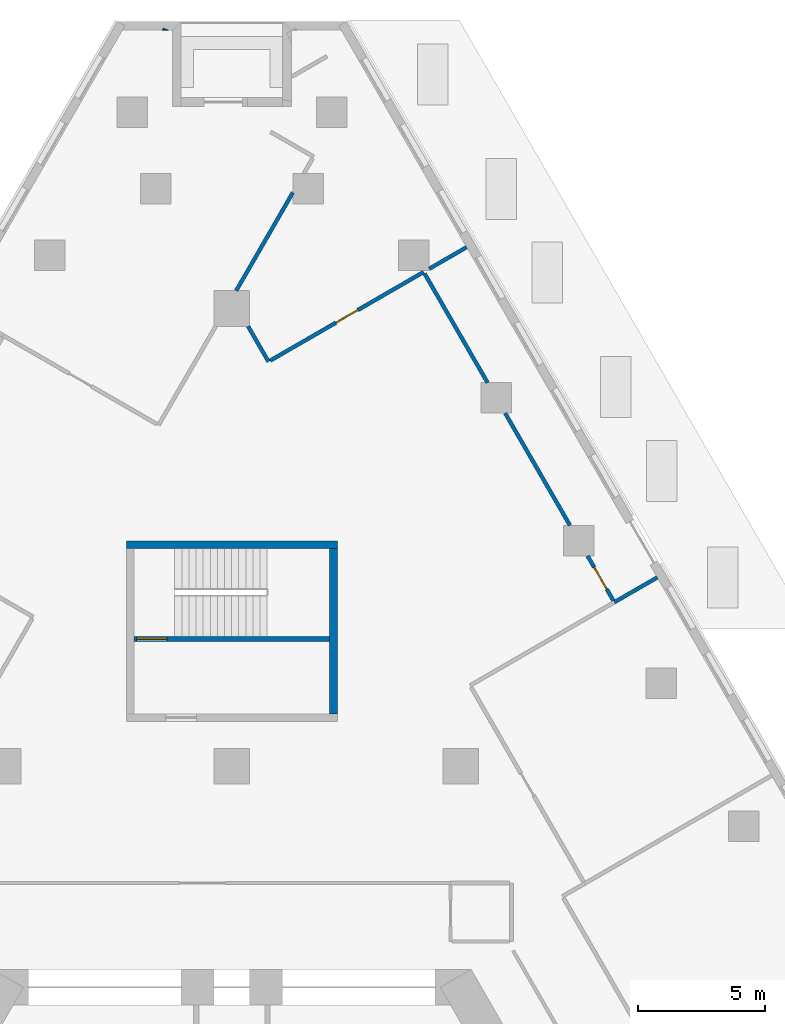
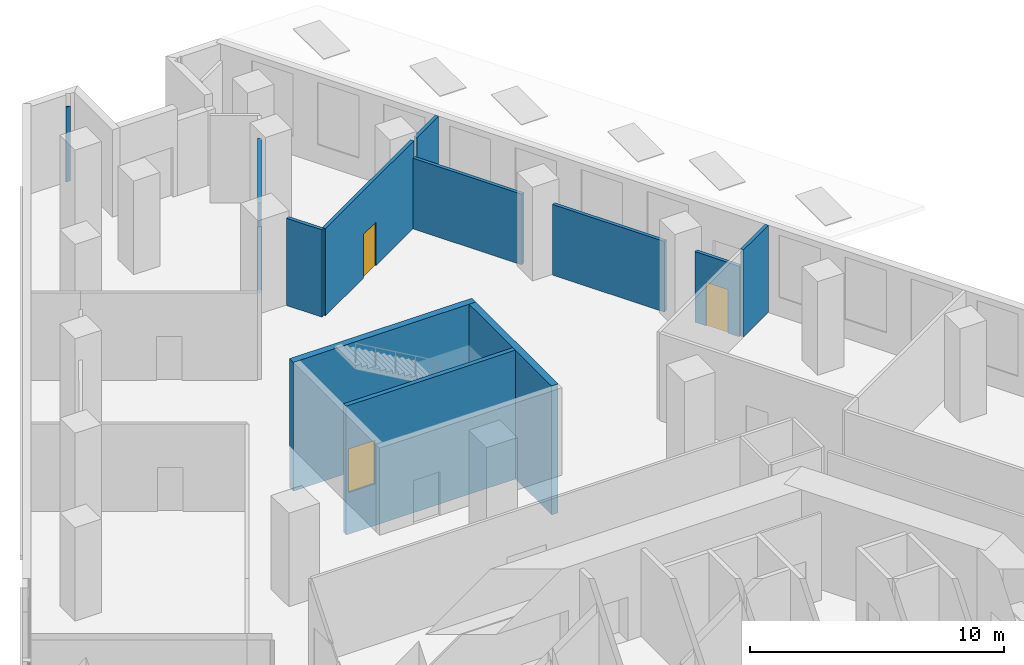
# One storey, part 9 of 13: 12 walls, 3 doors, 3 openings.
"""IFC4 building model written with IfcOpenShell, lengths in metres."""

from ifc_helpers import new_model, si_unit, direction, frame, frame_2d, origin, place, context, subcontext, project, spatial, polyline, rectangle, outline, extrude, material, layer, layer_set, type_object, element, fill, save


model = new_model("IFC4")

# Units and contexts
model_context = context("Model", 3, precision=1e-05, world=origin(), true_north=direction((0.0, 1.0)))
body_context = subcontext(model_context, "Body", "Model", "MODEL_VIEW")
ifc_project = project(units=[si_unit("LENGTHUNIT", "METRE"), si_unit("AREAUNIT", "SQUARE_METRE"), si_unit("VOLUMEUNIT", "CUBIC_METRE"), si_unit("PLANEANGLEUNIT", "RADIAN"), si_unit("MASSUNIT", "GRAM", prefix="KILO")], contexts=[model_context])

# Site, building, storey
site_placement = place(None, origin())
site = spatial("IfcSite", under=ifc_project, at=site_placement, CompositionType="ELEMENT")
building_placement = place(site_placement, origin())
building = spatial("IfcBuilding", under=site, at=building_placement, Name="Fogline Exchange Tower", CompositionType="ELEMENT")
storey_placement = place(building_placement, frame((0.0, 0.0, 25.0)))
storey = spatial("IfcBuildingStorey", under=building, at=storey_placement, Name="L04", CompositionType="ELEMENT", Elevation=25.0)

# Wall, opening, door
ifc_material_1 = material(Name="Concrete C40", Category="concrete")
ifc_layer_1 = layer(ifc_material_1, 0.199951171875)
ifc_layer_set_1 = layer_set([ifc_layer_1], Name="CW20R")
wall_type_1 = type_object("IfcWallType", Name="CW20R", PredefinedType="SOLIDWALL", material=ifc_layer_set_1)
wall_1_placement = place(storey_placement, frame((-3.85009765625, 32.007080078125, -2.0), z_axis=(0.0, 0.0, 1.0), x_axis=(1.0, 0.0, 0.0)))
wall_1 = element("IfcWall", 1, at=wall_1_placement, inside=storey, type_object=wall_type_1, Name="Stair enclosure wall ST3", PredefinedType="SOLIDWALL", context=body_context, shape_type="SweptSolid", body=[
    extrude(rectangle(XDim=7.7001953125, YDim=0.199951171875, at=frame_2d((3.85009765625, 0.0))), origin(), (0.0, 0.0, 1.0), 6.199951171875),
])
opening_1_placement = place(wall_1_placement, frame((0.10009765625, 0.0, 2.0)))
opening_1 = element("IfcOpeningElement", 2, at=opening_1_placement, cuts=wall_1, Name="Opening T00-C024", PredefinedType="OPENING", context=body_context, shape_type="SweptSolid", body=[
    extrude(rectangle(XDim=1.199951171875, YDim=2.10009765625, at=frame_2d((0.60009765625, 1.050048828125))), frame((0.0, 0.10986328125, 0.0), z_axis=(0.0, -1.0, 0.0), x_axis=(1.0, 0.0, 0.0)), (0.0, 0.0, 1.0), 0.219970703125),
])
ifc_material_2 = material(Name="Steel and timber fire door", Category="steel")
door_type_1 = type_object("IfcDoorType", Name="D-ST1", OperationType="SINGLE_SWING_LEFT", PredefinedType="DOOR", material=ifc_material_2)
door_1_placement = place(opening_1_placement, origin())
door_1 = element("IfcDoor", 3, at=door_1_placement, inside=storey, type_object=door_type_1, Name="Stair door ST3", OperationType="SINGLE_SWING_LEFT", OverallHeight=2.10009765625, OverallWidth=1.199951171875, PredefinedType="DOOR", context=body_context, shape_type="SweptSolid", body=[
    extrude(rectangle(XDim=1.199951171875, YDim=2.10009765625, at=frame_2d((0.60009765625, 1.050048828125))), frame((0.0, 0.02490234375, 0.0), z_axis=(0.0, -1.0, 0.0), x_axis=(1.0, 0.0, 0.0)), (0.0, 0.0, 1.0), 0.050048828125),
])
fill(opening_1, door_1)

# Walls
ifc_layer_2 = layer(ifc_material_1, 0.300048828125)
ifc_layer_set_2 = layer_set([ifc_layer_2], Name="CW30")
wall_type_2 = type_object("IfcWallType", Name="CW30", PredefinedType="SOLIDWALL", material=ifc_layer_set_2)
wall_2_placement = place(storey_placement, frame((-4.14990234375, 35.70703125, -2.0), z_axis=(0.0, 0.0, 1.0), x_axis=(1.0, 0.0, 0.0)))
element("IfcWall", 4, at=wall_2_placement, inside=storey, type_object=wall_type_2, Name="Stair enclosure wall ST3", PredefinedType="SOLIDWALL", context=body_context, shape_type="SweptSolid", body=[
    extrude(rectangle(XDim=8.2998046875, YDim=0.300048828125, at=frame_2d((4.14990234375, 0.0))), origin(), (0.0, 0.0, 1.0), 6.199951171875),
])
wall_3_placement = place(storey_placement, frame((4.0, 29.056884765625, -2.0), z_axis=(0.0, 0.0, 1.0), x_axis=(0.0, 1.0, 0.0)))
element("IfcWall", 5, at=wall_3_placement, inside=storey, type_object=wall_type_2, Name="Stair enclosure wall ST3", PredefinedType="SOLIDWALL", context=body_context, shape_type="SweptSolid", body=[
    extrude(rectangle(XDim=6.5, YDim=0.300048828125, at=frame_2d((3.25, 0.0))), origin(), (0.0, 0.0, 1.0), 6.199951171875),
])
ifc_material_3 = material(Name="Brick masonry", Category="masonry")
ifc_layer_3 = layer(ifc_material_3, 0.340087890625)
ifc_layer_set_3 = layer_set([ifc_layer_3], Name="FW1")
wall_type_3 = type_object("IfcWallType", Name="FW1", PredefinedType="SOLIDWALL", material=ifc_layer_set_3)
wall_4_placement = place(storey_placement, origin())
element("IfcWall", 6, at=wall_4_placement, inside=storey, type_object=wall_type_3, Name="Brick wall L04 N-c2", PredefinedType="SOLIDWALL", context=body_context, shape_type="SweptSolid", body=[
    extrude(outline(polyline([(-2.72998046875, 55.951171875), (-2.695068359375, 56.031494140625), (-2.510009765625, 55.951171875), (-2.72998046875, 55.951171875)])), origin(), (0.0, 0.0, 1.0), 3.60009765625),
])
ifc_material_4 = material(Name="Plasterboard demising partition with mineral wool and acoustic board")
ifc_layer_4 = layer(ifc_material_4, 0.14990234375)
ifc_layer_set_4 = layer_set([ifc_layer_4], Name="PW3")
wall_type_4 = type_object("IfcWallType", Name="PW3", PredefinedType="PARTITIONING", material=ifc_layer_set_4)
wall_5_placement = place(storey_placement, frame((15.045654296875, 33.4462890625, 0.0), z_axis=(0.0, 0.0, 1.0), x_axis=(0.866054235095, 0.49995005938, 0.0)))
element("IfcWall", 7, at=wall_5_placement, inside=storey, type_object=wall_type_4, Name="wall-L04-W013", PredefinedType="PARTITIONING", context=body_context, shape_type="SweptSolid", body=[
    extrude(rectangle(XDim=1.949951171875, YDim=0.14990234375, at=frame_2d((0.97509765625, 0.0))), origin(), (0.0, 0.0, 1.0), 4.199951171875),
])
wall_6_placement = place(storey_placement, frame((7.764404296875, 46.56298828125, 0.0), z_axis=(0.0, 0.0, 1.0), x_axis=(0.866039477586, 0.499975622669, 0.0)))
element("IfcWall", 8, at=wall_6_placement, inside=storey, type_object=wall_type_4, Name="wall-L04-W017", PredefinedType="PARTITIONING", context=body_context, shape_type="SweptSolid", body=[
    extrude(rectangle(XDim=1.697265625, YDim=0.14990234375, at=frame_2d((0.8486328125, 0.0))), origin(), (0.0, 0.0, 1.0), 4.199951171875),
])

# Wall, opening, door
wall_7_placement = place(storey_placement, frame((15.008056640625, 33.51123046875, 0.0), z_axis=(0.0, 0.0, 1.0), x_axis=(-0.500048947491, 0.865997142093, 0.0)))
wall_7 = element("IfcWall", 9, at=wall_7_placement, inside=storey, type_object=wall_type_4, Name="wall-L04-W019", PredefinedType="PARTITIONING", context=body_context, shape_type="SweptSolid", body=[
    extrude(rectangle(XDim=2.028076171875, YDim=0.14990234375, at=frame_2d((1.01416015625, 0.0))), origin(), (0.0, 0.0, 1.0), 3.39990234375),
])
opening_2_placement = place(wall_7_placement, frame((0.51416015625, 0.0, 0.0)))
opening_2 = element("IfcOpeningElement", 10, at=opening_2_placement, cuts=wall_7, Name="Opening T00-D007", PredefinedType="OPENING", context=body_context, shape_type="SweptSolid", body=[
    extrude(rectangle(XDim=1.0, YDim=2.10009765625, at=frame_2d((0.5, 1.050048828125))), frame((0.0, 0.0849609375, 0.0), z_axis=(0.0, -1.0, 0.0), x_axis=(1.0, 0.0, 0.0)), (0.0, 0.0, 1.0), 0.169921875),
])
ifc_material_5 = material(Name="Fire-rated timber door leaf with steel frame", Category="steel")
door_type_2 = type_object("IfcDoorType", Name="D3", OperationType="SINGLE_SWING_LEFT", PredefinedType="DOOR", material=ifc_material_5)
door_2_placement = place(opening_2_placement, frame((1.0, 0.0, 0.0), z_axis=(0.0, 0.0, 1.0), x_axis=(-1.0, 0.0, 0.0)))
door_2 = element("IfcDoor", 11, at=door_2_placement, inside=storey, type_object=door_type_2, Name="door-L04-D007", OperationType="SINGLE_SWING_RIGHT", OverallHeight=2.10009765625, OverallWidth=1.0, PredefinedType="DOOR", context=body_context, shape_type="SweptSolid", body=[
    extrude(rectangle(XDim=1.0, YDim=2.10009765625, at=frame_2d((0.5, 1.050048828125))), frame((0.0, 0.02490234375, 0.0), z_axis=(0.0, -1.0, 0.0), x_axis=(1.0, 0.0, 0.0)), (0.0, 0.0, 1.0), 0.050048828125),
])
fill(opening_2, door_2)

# Walls
wall_8_placement = place(storey_placement, frame((13.30126953125, 36.467529296875, 0.0), z_axis=(0.0, 0.0, 1.0), x_axis=(-0.499991921166, 0.866030068051, 0.0)))
element("IfcWall", 12, at=wall_8_placement, inside=storey, type_object=wall_type_4, Name="wall-L04-W020", PredefinedType="PARTITIONING", context=body_context, shape_type="SweptSolid", body=[
    extrude(rectangle(XDim=5.09765625, YDim=0.14990234375, at=frame_2d((2.548828125, 0.0))), origin(), (0.0, 0.0, 1.0), 3.39990234375),
])
wall_9_placement = place(storey_placement, frame((10.0595703125, 42.082275390625, 0.0), z_axis=(0.0, 0.0, 1.0), x_axis=(-0.500019708872, 0.866014024563, 0.0)))
element("IfcWall", 13, at=wall_9_placement, inside=storey, type_object=wall_type_4, Name="wall-L04-W021", PredefinedType="PARTITIONING", context=body_context, shape_type="SweptSolid", body=[
    extrude(rectangle(XDim=4.952880859375, YDim=0.14990234375, at=frame_2d((2.4765625, 0.0))), origin(), (0.0, 0.0, 1.0), 3.39990234375),
])

# Wall, opening, door
wall_10_placement = place(storey_placement, frame((7.545654296875, 46.4365234375, 0.0), z_axis=(0.0, 0.0, 1.0), x_axis=(-0.866037534292, -0.499978988757, 0.0)))
wall_10 = element("IfcWall", 14, at=wall_10_placement, inside=storey, type_object=wall_type_4, Name="wall-L04-W022", PredefinedType="PARTITIONING", context=body_context, shape_type="SweptSolid", body=[
    extrude(rectangle(XDim=6.974853515625, YDim=0.14990234375, at=frame_2d((3.4873046875, 0.0))), origin(), (0.0, 0.0, 1.0), 4.199951171875),
])
opening_3_placement = place(wall_10_placement, frame((2.987548828125, 0.0, 0.0)))
opening_3 = element("IfcOpeningElement", 15, at=opening_3_placement, cuts=wall_10, Name="Opening T00-D008", PredefinedType="OPENING", context=body_context, shape_type="SweptSolid", body=[
    extrude(rectangle(XDim=1.0, YDim=2.10009765625, at=frame_2d((0.5, 1.050048828125))), frame((0.0, 0.0849609375, 0.0), z_axis=(0.0, -1.0, 0.0), x_axis=(1.0, 0.0, 0.0)), (0.0, 0.0, 1.0), 0.169921875),
])
door_3_placement = place(opening_3_placement, frame((1.0, 0.0, 0.0), z_axis=(0.0, 0.0, 1.0), x_axis=(-1.0, 0.0, 0.0)))
door_3 = element("IfcDoor", 16, at=door_3_placement, inside=storey, type_object=door_type_2, Name="door-L04-D008", OperationType="SINGLE_SWING_LEFT", OverallHeight=2.10009765625, OverallWidth=1.0, PredefinedType="DOOR", context=body_context, shape_type="SweptSolid", body=[
    extrude(rectangle(XDim=1.0, YDim=2.10009765625, at=frame_2d((0.5, 1.050048828125))), frame((0.0, 0.02490234375, 0.0), z_axis=(0.0, -1.0, 0.0), x_axis=(1.0, 0.0, 0.0)), (0.0, 0.0, 1.0), 0.050048828125),
])
fill(opening_3, door_3)

# Walls
wall_11_placement = place(storey_placement, frame((1.440185546875, 42.91162109375, 0.0), z_axis=(0.0, 0.0, 1.0), x_axis=(-0.500069551962, 0.865985244216, 0.0)))
element("IfcWall", 17, at=wall_11_placement, inside=storey, type_object=wall_type_4, Name="wall-L04-W023", PredefinedType="PARTITIONING", context=body_context, shape_type="SweptSolid", body=[
    extrude(rectangle(XDim=1.603271484375, YDim=0.14990234375, at=frame_2d((0.8017578125, 0.0))), origin(), (0.0, 0.0, 1.0), 4.199951171875),
])
wall_12_placement = place(storey_placement, frame((0.169921875, 45.699951171875, 0.0), z_axis=(0.0, 0.0, 1.0), x_axis=(0.499965681329, 0.866045216772, 0.0)))
element("IfcWall", 18, at=wall_12_placement, inside=storey, type_object=wall_type_4, Name="wall-L04-W024", PredefinedType="PARTITIONING", context=body_context, shape_type="SweptSolid", body=[
    extrude(rectangle(XDim=4.460205078125, YDim=0.14990234375, at=frame_2d((2.22998046875, 0.0))), origin(), (0.0, 0.0, 1.0), 4.199951171875),
])

save(model, "model.ifc")
